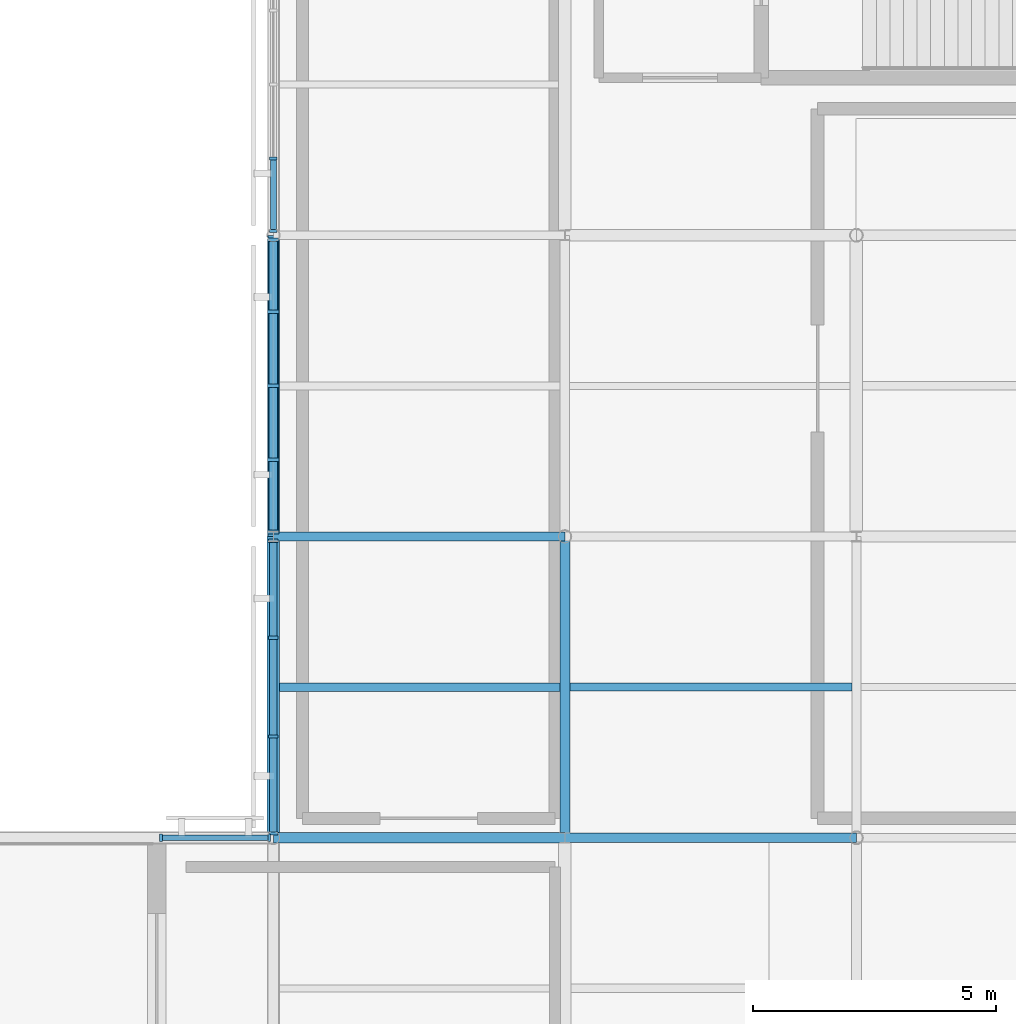
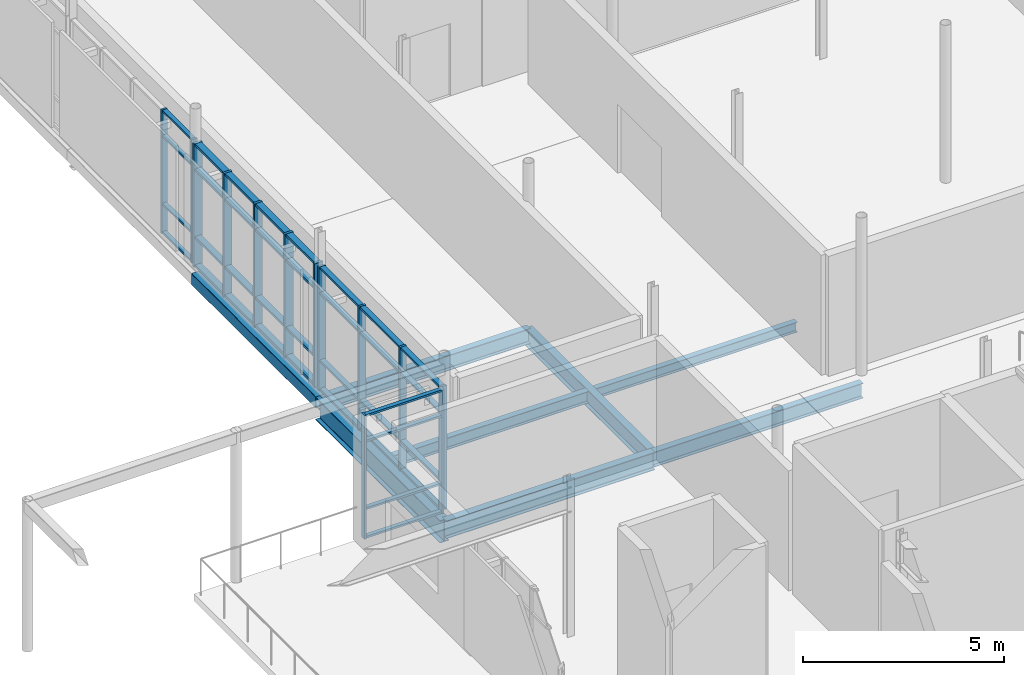
# One storey, part 29 of 48: 49 members, 8 beams, 4 elements without a shape of their own.
"""IFC4 building model written with IfcOpenShell, lengths in metres."""

from ifc_helpers import new_model, si_unit, direction, frame, origin, origin_2d, place, context, subcontext, project, spatial, rectangle, hollow_rectangle, i_section, extrude, material, layer, layer_set, material_profile, profile_set, type_object, element, aggregate, save


model = new_model("IFC4")

# Units and contexts
model_context = context("Model", 3, precision=1e-05, world=origin(), true_north=direction((0.0, 1.0)))
body_context = subcontext(model_context, "Body", "Model", "MODEL_VIEW")
ifc_project = project(units=[si_unit("LENGTHUNIT", "METRE"), si_unit("AREAUNIT", "SQUARE_METRE"), si_unit("VOLUMEUNIT", "CUBIC_METRE"), si_unit("PLANEANGLEUNIT", "RADIAN"), si_unit("MASSUNIT", "GRAM", prefix="KILO")], contexts=[model_context])

# Site, building, storey
site_placement = place(None, origin())
site = spatial("IfcSite", under=ifc_project, at=site_placement, CompositionType="ELEMENT")
building_placement = place(site_placement, origin())
building = spatial("IfcBuilding", under=site, at=building_placement, Name="Mirzam Square Science Centre", CompositionType="ELEMENT")
storey_placement = place(building_placement, frame((0.0, 0.0, 20.39990234375)))
storey = spatial("IfcBuildingStorey", under=building, at=storey_placement, Name="L04", CompositionType="ELEMENT", Elevation=20.39990234375)

# Beams
ifc_material_1 = material(Name="Steel S355", Category="steel")
ifc_material_profile_1 = material_profile(ifc_material_1, i_section(OverallWidth=0.19140625, OverallDepth=0.4599609375, WebThickness=0.010009765625, FlangeThickness=0.01611328125, FilletRadius=0.01025390625, at=origin_2d()), Name="457x191x82UB")
ifc_profile_set_1 = profile_set([ifc_material_profile_1], Name="Steel S355")
beam_type_1 = type_object("IfcBeamType", Name="BM-UB457", PredefinedType="BEAM", material=ifc_profile_set_1)
for number, where, z_axis, x_axis, name in (
    (1, (120.0, 86.800048828125, -0.47998046875), (1.0, 0.0, 0.0), (0.0, 1.0, 0.0), "L04 girder X21-15"),
    (2, (114.0, 93.0, -0.47998046875), (1.0, 0.0, 0.0), (0.0, 1.0, 0.0), "L04 girder X20-16"),
):
    element("IfcBeam", number, at=place(storey_placement, frame(where, z_axis=z_axis, x_axis=x_axis)), inside=storey, type_object=beam_type_1, Name=name, PredefinedType="BEAM", context=body_context, shape_type="SweptSolid", body=[
        extrude(i_section(OverallWidth=0.19140625, OverallDepth=0.4599609375, WebThickness=0.010009765625, FlangeThickness=0.01611328125, FilletRadius=0.01025390625, at=origin_2d()), origin(), (0.0, 0.0, 1.0), 6.0),
    ])
ifc_material_profile_2 = material_profile(ifc_material_1, i_section(OverallWidth=0.2099609375, OverallDepth=0.53662109375, WebThickness=0.0107421875, FlangeThickness=0.017333984375, FilletRadius=0.0126953125, at=origin_2d()), Name="533x210x101UB")
ifc_profile_set_2 = profile_set([ifc_material_profile_2], Name="Steel S355")
beam_type_2 = type_object("IfcBeamType", Name="BM-UB533", PredefinedType="BEAM", material=ifc_profile_set_2)
beam_1_placement = place(storey_placement, frame((114.0, 86.800048828125, -0.518310546875), z_axis=(1.0, 0.0, 0.0), x_axis=(0.0, 1.0, 0.0)))
element("IfcBeam", 3, at=beam_1_placement, inside=storey, type_object=beam_type_2, Name="L04 girder X20-15", PredefinedType="BEAM", context=body_context, shape_type="SweptSolid", body=[
    extrude(i_section(OverallWidth=0.2099609375, OverallDepth=0.53662109375, WebThickness=0.0107421875, FlangeThickness=0.017333984375, FilletRadius=0.0126953125, at=origin_2d()), origin(), (0.0, 0.0, 1.0), 6.0),
])
beam_2_placement = place(storey_placement, frame((120.0, 86.800048828125, -0.518310546875), z_axis=(0.0, 1.0, 0.0), x_axis=(-1.0, 0.0, 0.0)))
element("IfcBeam", 4, at=beam_2_placement, inside=storey, type_object=beam_type_2, Name="L04 girder Y21-15", PredefinedType="BEAM", context=body_context, shape_type="SweptSolid", body=[
    extrude(i_section(OverallWidth=0.2099609375, OverallDepth=0.53662109375, WebThickness=0.0107421875, FlangeThickness=0.017333984375, FilletRadius=0.0126953125, at=origin_2d()), origin(), (0.0, 0.0, 1.0), 6.199951171875),
])
ifc_material_profile_3 = material_profile(ifc_material_1, i_section(OverallWidth=0.25439453125, OverallDepth=0.6875, WebThickness=0.01318359375, FlangeThickness=0.02099609375, FilletRadius=0.01513671875, at=origin_2d()), Name="686x254x152UB")
ifc_profile_set_3 = profile_set([ifc_material_profile_3], Name="Steel S355")
beam_type_3 = type_object("IfcBeamType", Name="BM-UB686", PredefinedType="BEAM", material=ifc_profile_set_3)
beam_3_placement = place(storey_placement, frame((114.0, 86.800048828125, -0.59375), z_axis=(0.0, 1.0, 0.0), x_axis=(-1.0, 0.0, 0.0)))
element("IfcBeam", 5, at=beam_3_placement, inside=storey, type_object=beam_type_3, Name="L04 girder Y20-15", PredefinedType="BEAM", context=body_context, shape_type="SweptSolid", body=[
    extrude(i_section(OverallWidth=0.25439453125, OverallDepth=0.6875, WebThickness=0.01318359375, FlangeThickness=0.02099609375, FilletRadius=0.01513671875, at=origin_2d()), origin(), (0.0, 0.0, 1.0), 6.199951171875),
])

# Curtain wall, members
ifc_material_2 = material(Name="Anodised Aluminium and Low-E Solar Glass", Category="aluminium")
ifc_layer_1 = layer(ifc_material_2, 0.159912109375)
ifc_layer_set_1 = layer_set([ifc_layer_1], Name="CW-COURT-B")
curtain_wall_type_1 = type_object("IfcCurtainWallType", Name="CW-COURT-B", PredefinedType="USERDEFINED", material=ifc_layer_set_1)
curtain_wall_1_placement = place(storey_placement, origin())
curtain_wall_1 = element("IfcCurtainWall", 6, at=curtain_wall_1_placement, inside=storey, type_object=curtain_wall_type_1, Name="L04 unitised curtain wall 153", ObjectType="UNITISED CURTAIN WALL", PredefinedType="USERDEFINED")
ifc_material_3 = material(Name="Anodised Architectural Aluminium 6063-T6", Category="aluminium")
ifc_material_profile_4 = material_profile(ifc_material_3, rectangle(XDim=0.06005859375, YDim=0.159912109375, at=origin_2d()), Name="ALU-MULL-160x60x4")
ifc_profile_set_4 = profile_set([ifc_material_profile_4], Name="Anodised Architectural Aluminium 6063-T6")
member_type_1 = type_object("IfcMemberType", Name="CWM-160", PredefinedType="MULLION", material=ifc_profile_set_4)
member_1_placement = place(storey_placement, frame((113.9150390625, 86.800048828125, 0.0), z_axis=(0.0, 0.0, 1.0), x_axis=(-1.0, 0.0, 0.0)))
member_1 = element("IfcMember", 7, at=member_1_placement, type_object=member_type_1, Name="CW-04 mullion 1", PredefinedType="MULLION", context=body_context, shape_type="SweptSolid", body=[
    extrude(rectangle(XDim=0.06005859375, YDim=0.159912109375, at=origin_2d()), origin(), (0.0, 0.0, 1.0), 3.760009765625),
])
member_2_placement = place(storey_placement, frame((111.68505859375, 86.800048828125, 0.0), z_axis=(0.0, 0.0, 1.0), x_axis=(-1.0, 0.0, 0.0)))
member_2 = element("IfcMember", 8, at=member_2_placement, type_object=member_type_1, Name="CW-04 mullion 2", PredefinedType="MULLION", context=body_context, shape_type="SweptSolid", body=[
    extrude(rectangle(XDim=0.06005859375, YDim=0.159912109375, at=origin_2d()), origin(), (0.0, 0.0, 1.0), 3.760009765625),
])

curtain_wall_2_placement = place(storey_placement, origin())
curtain_wall_2 = element("IfcCurtainWall", 9, at=curtain_wall_2_placement, inside=storey, type_object=curtain_wall_type_1, Name="L04 unitised curtain wall 162", ObjectType="UNITISED CURTAIN WALL", PredefinedType="USERDEFINED")
member_3_placement = place(storey_placement, frame((114.0, 100.777587890625, 0.0), z_axis=(0.0, 0.0, 1.0), x_axis=(0.0, -1.0, 0.0)))
member_3 = element("IfcMember", 10, at=member_3_placement, type_object=member_type_1, Name="CW-04 mullion 4", PredefinedType="MULLION", context=body_context, shape_type="SweptSolid", body=[
    extrude(rectangle(XDim=0.06005859375, YDim=0.159912109375, at=origin_2d()), origin(), (0.0, 0.0, 1.0), 3.760009765625),
])
member_4_placement = place(storey_placement, frame((114.0, 99.284912109375, 0.0), z_axis=(0.0, 0.0, 1.0), x_axis=(0.0, -1.0, 0.0)))
member_4 = element("IfcMember", 11, at=member_4_placement, type_object=member_type_1, Name="CW-04 mullion 5", PredefinedType="MULLION", context=body_context, shape_type="SweptSolid", body=[
    extrude(rectangle(XDim=0.06005859375, YDim=0.159912109375, at=origin_2d()), origin(), (0.0, 0.0, 1.0), 3.760009765625),
])

ifc_layer_2 = layer(ifc_material_2, 0.199951171875)
ifc_layer_set_2 = layer_set([ifc_layer_2], Name="CW-PARK-B")
curtain_wall_type_2 = type_object("IfcCurtainWallType", Name="CW-PARK-B", PredefinedType="USERDEFINED", material=ifc_layer_set_2)
curtain_wall_3_placement = place(storey_placement, origin())
curtain_wall_3 = element("IfcCurtainWall", 12, at=curtain_wall_3_placement, inside=storey, type_object=curtain_wall_type_2, Name="L04 unitised curtain wall 158", ObjectType="UNITISED CURTAIN WALL", PredefinedType="USERDEFINED")
ifc_material_profile_5 = material_profile(ifc_material_3, rectangle(XDim=0.06494140625, YDim=0.199951171875, at=origin_2d()), Name="ALU-MULL-200x65x5")
ifc_profile_set_5 = profile_set([ifc_material_profile_5], Name="Anodised Architectural Aluminium 6063-T6")
member_type_2 = type_object("IfcMemberType", Name="CWM-200", PredefinedType="MULLION", material=ifc_profile_set_5)
member_5_placement = place(storey_placement, frame((114.0, 92.91259765625, 0.0), z_axis=(0.0, 0.0, 1.0), x_axis=(0.0, -1.0, 0.0)))
member_5 = element("IfcMember", 13, at=member_5_placement, type_object=member_type_2, Name="CW-02 mullion 1", PredefinedType="MULLION", context=body_context, shape_type="SweptSolid", body=[
    extrude(rectangle(XDim=0.06494140625, YDim=0.199951171875, at=origin_2d()), origin(), (0.0, 0.0, 1.0), 3.760009765625),
])
member_6_placement = place(storey_placement, frame((114.0, 90.9150390625, 0.0), z_axis=(0.0, 0.0, 1.0), x_axis=(0.0, -1.0, 0.0)))
member_6 = element("IfcMember", 14, at=member_6_placement, type_object=member_type_2, Name="CW-02 mullion 2", PredefinedType="MULLION", context=body_context, shape_type="SweptSolid", body=[
    extrude(rectangle(XDim=0.06494140625, YDim=0.199951171875, at=origin_2d()), origin(), (0.0, 0.0, 1.0), 3.760009765625),
])
member_7_placement = place(storey_placement, frame((114.0, 88.885009765625, 0.0), z_axis=(0.0, 0.0, 1.0), x_axis=(0.0, -1.0, 0.0)))
member_7 = element("IfcMember", 15, at=member_7_placement, type_object=member_type_2, Name="CW-02 mullion 3", PredefinedType="MULLION", context=body_context, shape_type="SweptSolid", body=[
    extrude(rectangle(XDim=0.06494140625, YDim=0.199951171875, at=origin_2d()), origin(), (0.0, 0.0, 1.0), 3.760009765625),
])
member_8_placement = place(storey_placement, frame((114.0, 86.887451171875, 0.0), z_axis=(0.0, 0.0, 1.0), x_axis=(0.0, -1.0, 0.0)))
member_8 = element("IfcMember", 16, at=member_8_placement, type_object=member_type_2, Name="CW-02 mullion 4", PredefinedType="MULLION", context=body_context, shape_type="SweptSolid", body=[
    extrude(rectangle(XDim=0.06494140625, YDim=0.199951171875, at=origin_2d()), origin(), (0.0, 0.0, 1.0), 3.760009765625),
])

ifc_layer_3 = layer(ifc_material_2, 0.159912109375)
ifc_layer_set_3 = layer_set([ifc_layer_3], Name="CW-COURT-A")
curtain_wall_type_3 = type_object("IfcCurtainWallType", Name="CW-COURT-A", PredefinedType="USERDEFINED", material=ifc_layer_set_3)
curtain_wall_4_placement = place(storey_placement, origin())
curtain_wall_4 = element("IfcCurtainWall", 17, at=curtain_wall_4_placement, inside=storey, type_object=curtain_wall_type_3, Name="L04 unitised curtain wall 160", ObjectType="UNITISED CURTAIN WALL", PredefinedType="USERDEFINED")
ifc_material_profile_6 = material_profile(ifc_material_3, rectangle(XDim=0.074951171875, YDim=0.239990234375, at=origin_2d()), Name="ALU-MULL-240x75x5")
ifc_profile_set_6 = profile_set([ifc_material_profile_6], Name="Anodised Architectural Aluminium 6063-T6")
member_type_3 = type_object("IfcMemberType", Name="CWM-240", PredefinedType="MULLION", material=ifc_profile_set_6)
member_9_placement = place(storey_placement, frame((114.0, 99.107421875, 0.0), z_axis=(0.0, 0.0, 1.0), x_axis=(0.0, -1.0, 0.0)))
member_9 = element("IfcMember", 18, at=member_9_placement, type_object=member_type_3, Name="CW-03 mullion 1", PredefinedType="MULLION", context=body_context, shape_type="SweptSolid", body=[
    extrude(rectangle(XDim=0.074951171875, YDim=0.239990234375, at=origin_2d()), origin(), (0.0, 0.0, 1.0), 3.760009765625),
])
member_10_placement = place(storey_placement, frame((114.0, 97.62255859375, 0.0), z_axis=(0.0, 0.0, 1.0), x_axis=(0.0, -1.0, 0.0)))
member_10 = element("IfcMember", 19, at=member_10_placement, type_object=member_type_3, Name="CW-03 mullion 2", PredefinedType="MULLION", context=body_context, shape_type="SweptSolid", body=[
    extrude(rectangle(XDim=0.074951171875, YDim=0.239990234375, at=origin_2d()), origin(), (0.0, 0.0, 1.0), 3.760009765625),
])
member_11_placement = place(storey_placement, frame((114.0, 96.10009765625, 0.0), z_axis=(0.0, 0.0, 1.0), x_axis=(0.0, -1.0, 0.0)))
member_11 = element("IfcMember", 20, at=member_11_placement, type_object=member_type_3, Name="CW-03 mullion 3", PredefinedType="MULLION", context=body_context, shape_type="SweptSolid", body=[
    extrude(rectangle(XDim=0.074951171875, YDim=0.239990234375, at=origin_2d()), origin(), (0.0, 0.0, 1.0), 3.760009765625),
])
member_12_placement = place(storey_placement, frame((114.0, 94.577392578125, 0.0), z_axis=(0.0, 0.0, 1.0), x_axis=(0.0, -1.0, 0.0)))
member_12 = element("IfcMember", 21, at=member_12_placement, type_object=member_type_3, Name="CW-03 mullion 4", PredefinedType="MULLION", context=body_context, shape_type="SweptSolid", body=[
    extrude(rectangle(XDim=0.074951171875, YDim=0.239990234375, at=origin_2d()), origin(), (0.0, 0.0, 1.0), 3.760009765625),
])
member_13_placement = place(storey_placement, frame((114.0, 93.092529296875, 0.0), z_axis=(0.0, 0.0, 1.0), x_axis=(0.0, -1.0, 0.0)))
member_13 = element("IfcMember", 22, at=member_13_placement, type_object=member_type_3, Name="CW-03 mullion 5", PredefinedType="MULLION", context=body_context, shape_type="SweptSolid", body=[
    extrude(rectangle(XDim=0.074951171875, YDim=0.239990234375, at=origin_2d()), origin(), (0.0, 0.0, 1.0), 3.760009765625),
])

# Member
ifc_material_profile_7 = material_profile(ifc_material_3, rectangle(XDim=0.1201171875, YDim=0.06005859375, at=origin_2d()), Name="ALU-TRAN-120x60x4")
ifc_profile_set_7 = profile_set([ifc_material_profile_7], Name="Anodised Architectural Aluminium 6063-T6")
member_type_4 = type_object("IfcMemberType", Name="CWT-120", PredefinedType="USERDEFINED", material=ifc_profile_set_7)
member_14_placement = place(storey_placement, frame((113.885009765625, 86.800048828125, 0.030029296875), z_axis=(-1.0, 0.0, 0.0), x_axis=(0.0, -1.0, 0.0)))
member_14 = element("IfcMember", 23, at=member_14_placement, type_object=member_type_4, Name="CW-04 transom 1.1", ObjectType="TRANSOM", PredefinedType="USERDEFINED", context=body_context, shape_type="SweptSolid", body=[
    extrude(rectangle(XDim=0.1201171875, YDim=0.06005859375, at=origin_2d()), origin(), (0.0, 0.0, 1.0), 2.169921875),
])

member_15_placement = place(storey_placement, frame((113.885009765625, 86.800048828125, 0.900146484375), z_axis=(-1.0, 0.0, 0.0), x_axis=(0.0, -1.0, 0.0)))
member_15 = element("IfcMember", 24, at=member_15_placement, type_object=member_type_4, Name="CW-04 transom 1.2", ObjectType="TRANSOM", PredefinedType="USERDEFINED", context=body_context, shape_type="SweptSolid", body=[
    extrude(rectangle(XDim=0.1201171875, YDim=0.06005859375, at=origin_2d()), origin(), (0.0, 0.0, 1.0), 2.169921875),
])

member_16_placement = place(storey_placement, frame((113.885009765625, 86.800048828125, 2.960205078125), z_axis=(-1.0, 0.0, 0.0), x_axis=(0.0, -1.0, 0.0)))
member_16 = element("IfcMember", 25, at=member_16_placement, type_object=member_type_4, Name="CW-04 transom 1.3", ObjectType="TRANSOM", PredefinedType="USERDEFINED", context=body_context, shape_type="SweptSolid", body=[
    extrude(rectangle(XDim=0.1201171875, YDim=0.06005859375, at=origin_2d()), origin(), (0.0, 0.0, 1.0), 2.169921875),
])

member_17_placement = place(storey_placement, frame((113.885009765625, 86.800048828125, 3.72998046875), z_axis=(-1.0, 0.0, 0.0), x_axis=(0.0, -1.0, 0.0)))
member_17 = element("IfcMember", 26, at=member_17_placement, type_object=member_type_4, Name="CW-04 transom 1.4", ObjectType="TRANSOM", PredefinedType="USERDEFINED", context=body_context, shape_type="SweptSolid", body=[
    extrude(rectangle(XDim=0.1201171875, YDim=0.06005859375, at=origin_2d()), origin(), (0.0, 0.0, 1.0), 2.169921875),
])

aggregate(curtain_wall_1, [member_1, member_2, member_14, member_15, member_16, member_17])

member_18_placement = place(storey_placement, frame((114.0, 100.74755859375, 0.030029296875), z_axis=(0.0, -1.0, 0.0), x_axis=(1.0, 0.0, 0.0)))
member_18 = element("IfcMember", 27, at=member_18_placement, type_object=member_type_4, Name="CW-04 transom 4.1", ObjectType="TRANSOM", PredefinedType="USERDEFINED", context=body_context, shape_type="SweptSolid", body=[
    extrude(rectangle(XDim=0.1201171875, YDim=0.06005859375, at=origin_2d()), origin(), (0.0, 0.0, 1.0), 1.4326171875),
])

member_19_placement = place(storey_placement, frame((114.0, 100.74755859375, 0.900146484375), z_axis=(0.0, -1.0, 0.0), x_axis=(1.0, 0.0, 0.0)))
member_19 = element("IfcMember", 28, at=member_19_placement, type_object=member_type_4, Name="CW-04 transom 4.2", ObjectType="TRANSOM", PredefinedType="USERDEFINED", context=body_context, shape_type="SweptSolid", body=[
    extrude(rectangle(XDim=0.1201171875, YDim=0.06005859375, at=origin_2d()), origin(), (0.0, 0.0, 1.0), 1.4326171875),
])

member_20_placement = place(storey_placement, frame((114.0, 100.74755859375, 2.960205078125), z_axis=(0.0, -1.0, 0.0), x_axis=(1.0, 0.0, 0.0)))
member_20 = element("IfcMember", 29, at=member_20_placement, type_object=member_type_4, Name="CW-04 transom 4.3", ObjectType="TRANSOM", PredefinedType="USERDEFINED", context=body_context, shape_type="SweptSolid", body=[
    extrude(rectangle(XDim=0.1201171875, YDim=0.06005859375, at=origin_2d()), origin(), (0.0, 0.0, 1.0), 1.4326171875),
])

member_21_placement = place(storey_placement, frame((114.0, 100.74755859375, 3.72998046875), z_axis=(0.0, -1.0, 0.0), x_axis=(1.0, 0.0, 0.0)))
member_21 = element("IfcMember", 30, at=member_21_placement, type_object=member_type_4, Name="CW-04 transom 4.4", ObjectType="TRANSOM", PredefinedType="USERDEFINED", context=body_context, shape_type="SweptSolid", body=[
    extrude(rectangle(XDim=0.1201171875, YDim=0.06005859375, at=origin_2d()), origin(), (0.0, 0.0, 1.0), 1.4326171875),
])

aggregate(curtain_wall_2, [member_3, member_4, member_18, member_19, member_20, member_21])

ifc_material_profile_8 = material_profile(ifc_material_3, rectangle(XDim=0.14990234375, YDim=0.06494140625, at=origin_2d()), Name="ALU-TRAN-150x65x4")
ifc_profile_set_8 = profile_set([ifc_material_profile_8], Name="Anodised Architectural Aluminium 6063-T6")
member_type_5 = type_object("IfcMemberType", Name="CWT-150", PredefinedType="USERDEFINED", material=ifc_profile_set_8)
member_22_placement = place(storey_placement, frame((114.0, 92.8798828125, 0.03271484375), z_axis=(0.0, -1.0, 0.0), x_axis=(1.0, 0.0, 0.0)))
member_22 = element("IfcMember", 31, at=member_22_placement, type_object=member_type_5, Name="CW-02 transom 1.1", ObjectType="TRANSOM", PredefinedType="USERDEFINED", context=body_context, shape_type="SweptSolid", body=[
    extrude(rectangle(XDim=0.14990234375, YDim=0.06494140625, at=origin_2d()), origin(), (0.0, 0.0, 1.0), 1.932373046875),
])

member_23_placement = place(storey_placement, frame((114.0, 92.8798828125, 0.900146484375), z_axis=(0.0, -1.0, 0.0), x_axis=(1.0, 0.0, 0.0)))
member_23 = element("IfcMember", 32, at=member_23_placement, type_object=member_type_5, Name="CW-02 transom 1.2", ObjectType="TRANSOM", PredefinedType="USERDEFINED", context=body_context, shape_type="SweptSolid", body=[
    extrude(rectangle(XDim=0.14990234375, YDim=0.06494140625, at=origin_2d()), origin(), (0.0, 0.0, 1.0), 1.932373046875),
])

member_24_placement = place(storey_placement, frame((114.0, 92.8798828125, 2.960205078125), z_axis=(0.0, -1.0, 0.0), x_axis=(1.0, 0.0, 0.0)))
member_24 = element("IfcMember", 33, at=member_24_placement, type_object=member_type_5, Name="CW-02 transom 1.3", ObjectType="TRANSOM", PredefinedType="USERDEFINED", context=body_context, shape_type="SweptSolid", body=[
    extrude(rectangle(XDim=0.14990234375, YDim=0.06494140625, at=origin_2d()), origin(), (0.0, 0.0, 1.0), 1.932373046875),
])

member_25_placement = place(storey_placement, frame((114.0, 92.8798828125, 3.7275390625), z_axis=(0.0, -1.0, 0.0), x_axis=(1.0, 0.0, 0.0)))
member_25 = element("IfcMember", 34, at=member_25_placement, type_object=member_type_5, Name="CW-02 transom 1.4", ObjectType="TRANSOM", PredefinedType="USERDEFINED", context=body_context, shape_type="SweptSolid", body=[
    extrude(rectangle(XDim=0.14990234375, YDim=0.06494140625, at=origin_2d()), origin(), (0.0, 0.0, 1.0), 1.932373046875),
])

member_26_placement = place(storey_placement, frame((114.0, 90.882568359375, 0.03271484375), z_axis=(0.0, -1.0, 0.0), x_axis=(1.0, 0.0, 0.0)))
member_26 = element("IfcMember", 35, at=member_26_placement, type_object=member_type_5, Name="CW-02 transom 2.1", ObjectType="TRANSOM", PredefinedType="USERDEFINED", context=body_context, shape_type="SweptSolid", body=[
    extrude(rectangle(XDim=0.14990234375, YDim=0.06494140625, at=origin_2d()), origin(), (0.0, 0.0, 1.0), 1.965087890625),
])

member_27_placement = place(storey_placement, frame((114.0, 90.882568359375, 0.900146484375), z_axis=(0.0, -1.0, 0.0), x_axis=(1.0, 0.0, 0.0)))
member_27 = element("IfcMember", 36, at=member_27_placement, type_object=member_type_5, Name="CW-02 transom 2.2", ObjectType="TRANSOM", PredefinedType="USERDEFINED", context=body_context, shape_type="SweptSolid", body=[
    extrude(rectangle(XDim=0.14990234375, YDim=0.06494140625, at=origin_2d()), origin(), (0.0, 0.0, 1.0), 1.965087890625),
])

member_28_placement = place(storey_placement, frame((114.0, 90.882568359375, 2.960205078125), z_axis=(0.0, -1.0, 0.0), x_axis=(1.0, 0.0, 0.0)))
member_28 = element("IfcMember", 37, at=member_28_placement, type_object=member_type_5, Name="CW-02 transom 2.3", ObjectType="TRANSOM", PredefinedType="USERDEFINED", context=body_context, shape_type="SweptSolid", body=[
    extrude(rectangle(XDim=0.14990234375, YDim=0.06494140625, at=origin_2d()), origin(), (0.0, 0.0, 1.0), 1.965087890625),
])

member_29_placement = place(storey_placement, frame((114.0, 90.882568359375, 3.7275390625), z_axis=(0.0, -1.0, 0.0), x_axis=(1.0, 0.0, 0.0)))
member_29 = element("IfcMember", 38, at=member_29_placement, type_object=member_type_5, Name="CW-02 transom 2.4", ObjectType="TRANSOM", PredefinedType="USERDEFINED", context=body_context, shape_type="SweptSolid", body=[
    extrude(rectangle(XDim=0.14990234375, YDim=0.06494140625, at=origin_2d()), origin(), (0.0, 0.0, 1.0), 1.965087890625),
])

member_30_placement = place(storey_placement, frame((114.0, 88.8525390625, 0.03271484375), z_axis=(0.0, -1.0, 0.0), x_axis=(1.0, 0.0, 0.0)))
member_30 = element("IfcMember", 39, at=member_30_placement, type_object=member_type_5, Name="CW-02 transom 3.1", ObjectType="TRANSOM", PredefinedType="USERDEFINED", context=body_context, shape_type="SweptSolid", body=[
    extrude(rectangle(XDim=0.14990234375, YDim=0.06494140625, at=origin_2d()), origin(), (0.0, 0.0, 1.0), 1.9326171875),
])

member_31_placement = place(storey_placement, frame((114.0, 88.8525390625, 0.900146484375), z_axis=(0.0, -1.0, 0.0), x_axis=(1.0, 0.0, 0.0)))
member_31 = element("IfcMember", 40, at=member_31_placement, type_object=member_type_5, Name="CW-02 transom 3.2", ObjectType="TRANSOM", PredefinedType="USERDEFINED", context=body_context, shape_type="SweptSolid", body=[
    extrude(rectangle(XDim=0.14990234375, YDim=0.06494140625, at=origin_2d()), origin(), (0.0, 0.0, 1.0), 1.9326171875),
])

member_32_placement = place(storey_placement, frame((114.0, 88.8525390625, 2.960205078125), z_axis=(0.0, -1.0, 0.0), x_axis=(1.0, 0.0, 0.0)))
member_32 = element("IfcMember", 41, at=member_32_placement, type_object=member_type_5, Name="CW-02 transom 3.3", ObjectType="TRANSOM", PredefinedType="USERDEFINED", context=body_context, shape_type="SweptSolid", body=[
    extrude(rectangle(XDim=0.14990234375, YDim=0.06494140625, at=origin_2d()), origin(), (0.0, 0.0, 1.0), 1.9326171875),
])

member_33_placement = place(storey_placement, frame((114.0, 88.8525390625, 3.7275390625), z_axis=(0.0, -1.0, 0.0), x_axis=(1.0, 0.0, 0.0)))
member_33 = element("IfcMember", 42, at=member_33_placement, type_object=member_type_5, Name="CW-02 transom 3.4", ObjectType="TRANSOM", PredefinedType="USERDEFINED", context=body_context, shape_type="SweptSolid", body=[
    extrude(rectangle(XDim=0.14990234375, YDim=0.06494140625, at=origin_2d()), origin(), (0.0, 0.0, 1.0), 1.9326171875),
])

aggregate(curtain_wall_3, [member_5, member_6, member_7, member_8, member_22, member_23, member_24, member_25, member_26, member_27, member_28, member_29, member_30, member_31, member_32, member_33])

ifc_material_profile_9 = material_profile(ifc_material_3, rectangle(XDim=0.179931640625, YDim=0.074951171875, at=origin_2d()), Name="ALU-TRAN-180x75x5")
ifc_profile_set_9 = profile_set([ifc_material_profile_9], Name="Anodised Architectural Aluminium 6063-T6")
member_type_6 = type_object("IfcMemberType", Name="CWT-180", PredefinedType="USERDEFINED", material=ifc_profile_set_9)
member_34_placement = place(storey_placement, frame((114.0, 99.070068359375, 0.03759765625), z_axis=(0.0, -1.0, 0.0), x_axis=(1.0, 0.0, 0.0)))
member_34 = element("IfcMember", 43, at=member_34_placement, type_object=member_type_6, Name="CW-03 transom 1.1", ObjectType="TRANSOM", PredefinedType="USERDEFINED", context=body_context, shape_type="SweptSolid", body=[
    extrude(rectangle(XDim=0.179931640625, YDim=0.074951171875, at=origin_2d()), origin(), (0.0, 0.0, 1.0), 1.41015625),
])

member_35_placement = place(storey_placement, frame((114.0, 99.070068359375, 0.900146484375), z_axis=(0.0, -1.0, 0.0), x_axis=(1.0, 0.0, 0.0)))
member_35 = element("IfcMember", 44, at=member_35_placement, type_object=member_type_6, Name="CW-03 transom 1.2", ObjectType="TRANSOM", PredefinedType="USERDEFINED", context=body_context, shape_type="SweptSolid", body=[
    extrude(rectangle(XDim=0.179931640625, YDim=0.074951171875, at=origin_2d()), origin(), (0.0, 0.0, 1.0), 1.41015625),
])

member_36_placement = place(storey_placement, frame((114.0, 99.070068359375, 2.960205078125), z_axis=(0.0, -1.0, 0.0), x_axis=(1.0, 0.0, 0.0)))
member_36 = element("IfcMember", 45, at=member_36_placement, type_object=member_type_6, Name="CW-03 transom 1.3", ObjectType="TRANSOM", PredefinedType="USERDEFINED", context=body_context, shape_type="SweptSolid", body=[
    extrude(rectangle(XDim=0.179931640625, YDim=0.074951171875, at=origin_2d()), origin(), (0.0, 0.0, 1.0), 1.41015625),
])

member_37_placement = place(storey_placement, frame((114.0, 99.070068359375, 3.72265625), z_axis=(0.0, -1.0, 0.0), x_axis=(1.0, 0.0, 0.0)))
member_37 = element("IfcMember", 46, at=member_37_placement, type_object=member_type_6, Name="CW-03 transom 1.4", ObjectType="TRANSOM", PredefinedType="USERDEFINED", context=body_context, shape_type="SweptSolid", body=[
    extrude(rectangle(XDim=0.179931640625, YDim=0.074951171875, at=origin_2d()), origin(), (0.0, 0.0, 1.0), 1.41015625),
])

member_38_placement = place(storey_placement, frame((114.0, 97.5849609375, 0.03759765625), z_axis=(0.0, -1.0, 0.0), x_axis=(1.0, 0.0, 0.0)))
member_38 = element("IfcMember", 47, at=member_38_placement, type_object=member_type_6, Name="CW-03 transom 2.1", ObjectType="TRANSOM", PredefinedType="USERDEFINED", context=body_context, shape_type="SweptSolid", body=[
    extrude(rectangle(XDim=0.179931640625, YDim=0.074951171875, at=origin_2d()), origin(), (0.0, 0.0, 1.0), 1.447509765625),
])

member_39_placement = place(storey_placement, frame((114.0, 97.5849609375, 0.900146484375), z_axis=(0.0, -1.0, 0.0), x_axis=(1.0, 0.0, 0.0)))
member_39 = element("IfcMember", 48, at=member_39_placement, type_object=member_type_6, Name="CW-03 transom 2.2", ObjectType="TRANSOM", PredefinedType="USERDEFINED", context=body_context, shape_type="SweptSolid", body=[
    extrude(rectangle(XDim=0.179931640625, YDim=0.074951171875, at=origin_2d()), origin(), (0.0, 0.0, 1.0), 1.447509765625),
])

member_40_placement = place(storey_placement, frame((114.0, 97.5849609375, 2.960205078125), z_axis=(0.0, -1.0, 0.0), x_axis=(1.0, 0.0, 0.0)))
member_40 = element("IfcMember", 49, at=member_40_placement, type_object=member_type_6, Name="CW-03 transom 2.3", ObjectType="TRANSOM", PredefinedType="USERDEFINED", context=body_context, shape_type="SweptSolid", body=[
    extrude(rectangle(XDim=0.179931640625, YDim=0.074951171875, at=origin_2d()), origin(), (0.0, 0.0, 1.0), 1.447509765625),
])

member_41_placement = place(storey_placement, frame((114.0, 97.5849609375, 3.72265625), z_axis=(0.0, -1.0, 0.0), x_axis=(1.0, 0.0, 0.0)))
member_41 = element("IfcMember", 50, at=member_41_placement, type_object=member_type_6, Name="CW-03 transom 2.4", ObjectType="TRANSOM", PredefinedType="USERDEFINED", context=body_context, shape_type="SweptSolid", body=[
    extrude(rectangle(XDim=0.179931640625, YDim=0.074951171875, at=origin_2d()), origin(), (0.0, 0.0, 1.0), 1.447509765625),
])

member_42_placement = place(storey_placement, frame((114.0, 96.0625, 0.03759765625), z_axis=(0.0, -1.0, 0.0), x_axis=(1.0, 0.0, 0.0)))
member_42 = element("IfcMember", 51, at=member_42_placement, type_object=member_type_6, Name="CW-03 transom 3.1", ObjectType="TRANSOM", PredefinedType="USERDEFINED", context=body_context, shape_type="SweptSolid", body=[
    extrude(rectangle(XDim=0.179931640625, YDim=0.074951171875, at=origin_2d()), origin(), (0.0, 0.0, 1.0), 1.447509765625),
])

member_43_placement = place(storey_placement, frame((114.0, 96.0625, 0.900146484375), z_axis=(0.0, -1.0, 0.0), x_axis=(1.0, 0.0, 0.0)))
member_43 = element("IfcMember", 52, at=member_43_placement, type_object=member_type_6, Name="CW-03 transom 3.2", ObjectType="TRANSOM", PredefinedType="USERDEFINED", context=body_context, shape_type="SweptSolid", body=[
    extrude(rectangle(XDim=0.179931640625, YDim=0.074951171875, at=origin_2d()), origin(), (0.0, 0.0, 1.0), 1.447509765625),
])

member_44_placement = place(storey_placement, frame((114.0, 96.0625, 2.960205078125), z_axis=(0.0, -1.0, 0.0), x_axis=(1.0, 0.0, 0.0)))
member_44 = element("IfcMember", 53, at=member_44_placement, type_object=member_type_6, Name="CW-03 transom 3.3", ObjectType="TRANSOM", PredefinedType="USERDEFINED", context=body_context, shape_type="SweptSolid", body=[
    extrude(rectangle(XDim=0.179931640625, YDim=0.074951171875, at=origin_2d()), origin(), (0.0, 0.0, 1.0), 1.447509765625),
])

member_45_placement = place(storey_placement, frame((114.0, 96.0625, 3.72265625), z_axis=(0.0, -1.0, 0.0), x_axis=(1.0, 0.0, 0.0)))
member_45 = element("IfcMember", 54, at=member_45_placement, type_object=member_type_6, Name="CW-03 transom 3.4", ObjectType="TRANSOM", PredefinedType="USERDEFINED", context=body_context, shape_type="SweptSolid", body=[
    extrude(rectangle(XDim=0.179931640625, YDim=0.074951171875, at=origin_2d()), origin(), (0.0, 0.0, 1.0), 1.447509765625),
])

member_46_placement = place(storey_placement, frame((114.0, 94.5400390625, 0.03759765625), z_axis=(0.0, -1.0, 0.0), x_axis=(1.0, 0.0, 0.0)))
member_46 = element("IfcMember", 55, at=member_46_placement, type_object=member_type_6, Name="CW-03 transom 4.1", ObjectType="TRANSOM", PredefinedType="USERDEFINED", context=body_context, shape_type="SweptSolid", body=[
    extrude(rectangle(XDim=0.179931640625, YDim=0.074951171875, at=origin_2d()), origin(), (0.0, 0.0, 1.0), 1.41015625),
])

member_47_placement = place(storey_placement, frame((114.0, 94.5400390625, 0.900146484375), z_axis=(0.0, -1.0, 0.0), x_axis=(1.0, 0.0, 0.0)))
member_47 = element("IfcMember", 56, at=member_47_placement, type_object=member_type_6, Name="CW-03 transom 4.2", ObjectType="TRANSOM", PredefinedType="USERDEFINED", context=body_context, shape_type="SweptSolid", body=[
    extrude(rectangle(XDim=0.179931640625, YDim=0.074951171875, at=origin_2d()), origin(), (0.0, 0.0, 1.0), 1.41015625),
])

member_48_placement = place(storey_placement, frame((114.0, 94.5400390625, 2.960205078125), z_axis=(0.0, -1.0, 0.0), x_axis=(1.0, 0.0, 0.0)))
member_48 = element("IfcMember", 57, at=member_48_placement, type_object=member_type_6, Name="CW-03 transom 4.3", ObjectType="TRANSOM", PredefinedType="USERDEFINED", context=body_context, shape_type="SweptSolid", body=[
    extrude(rectangle(XDim=0.179931640625, YDim=0.074951171875, at=origin_2d()), origin(), (0.0, 0.0, 1.0), 1.41015625),
])

member_49_placement = place(storey_placement, frame((114.0, 94.5400390625, 3.72265625), z_axis=(0.0, -1.0, 0.0), x_axis=(1.0, 0.0, 0.0)))
member_49 = element("IfcMember", 58, at=member_49_placement, type_object=member_type_6, Name="CW-03 transom 4.4", ObjectType="TRANSOM", PredefinedType="USERDEFINED", context=body_context, shape_type="SweptSolid", body=[
    extrude(rectangle(XDim=0.179931640625, YDim=0.074951171875, at=origin_2d()), origin(), (0.0, 0.0, 1.0), 1.41015625),
])

aggregate(curtain_wall_4, [member_9, member_10, member_11, member_12, member_13, member_34, member_35, member_36, member_37, member_38, member_39, member_40, member_41, member_42, member_43, member_44, member_45, member_46, member_47, member_48, member_49])

# Beams
ifc_material_profile_10 = material_profile(ifc_material_1, i_section(OverallWidth=0.165771484375, OverallDepth=0.306640625, WebThickness=0.006591796875, FlangeThickness=0.01171875, FilletRadius=0.0087890625, at=origin_2d()), Name="305x165x46UB")
ifc_profile_set_10 = profile_set([ifc_material_profile_10], Name="Steel S355")
beam_type_4 = type_object("IfcBeamType", Name="JS-UB305", PredefinedType="JOIST", material=ifc_profile_set_10)
beam_4_placement = place(storey_placement, frame((120.10498046875, 89.89990234375, -0.4033203125), z_axis=(1.0, 0.0, 0.0), x_axis=(0.0, 1.0, 0.0)))
element("IfcBeam", 59, at=beam_4_placement, inside=storey, type_object=beam_type_4, Name="L04 composite joist 21-15", PredefinedType="JOIST", context=body_context, shape_type="SweptSolid", body=[
    extrude(i_section(OverallWidth=0.165771484375, OverallDepth=0.306640625, WebThickness=0.006591796875, FlangeThickness=0.01171875, FilletRadius=0.0087890625, at=origin_2d()), origin(), (0.0, 0.0, 1.0), 5.79931640625),
])
ifc_material_profile_11 = material_profile(ifc_material_1, i_section(OverallWidth=0.172119140625, OverallDepth=0.35791015625, WebThickness=0.008056640625, FlangeThickness=0.012939453125, FilletRadius=0.01025390625, at=origin_2d()), Name="356x171x57UB")
ifc_profile_set_11 = profile_set([ifc_material_profile_11], Name="Steel S355")
beam_type_5 = type_object("IfcBeamType", Name="JS-UB356", PredefinedType="JOIST", material=ifc_profile_set_11)
beam_5_placement = place(storey_placement, frame((114.127197265625, 89.89990234375, -0.428955078125), z_axis=(1.0, 0.0, 0.0), x_axis=(0.0, 1.0, 0.0)))
element("IfcBeam", 60, at=beam_5_placement, inside=storey, type_object=beam_type_5, Name="L04 composite joist 20-15", PredefinedType="JOIST", context=body_context, shape_type="SweptSolid", body=[
    extrude(i_section(OverallWidth=0.172119140625, OverallDepth=0.35791015625, WebThickness=0.008056640625, FlangeThickness=0.012939453125, FilletRadius=0.01025390625, at=origin_2d()), origin(), (0.0, 0.0, 1.0), 5.767822265625),
])
ifc_material_profile_12 = material_profile(ifc_material_1, hollow_rectangle(XDim=0.25, YDim=0.35009765625, WallThickness=0.012451171875, InnerFilletRadius=0.012451171875, OuterFilletRadius=0.02490234375, at=origin_2d()), Name="350x250x12.5RHS")
ifc_profile_set_12 = profile_set([ifc_material_profile_12], Name="Steel S355")
beam_type_6 = type_object("IfcBeamType", Name="SP-RHS350", PredefinedType="SPANDREL", material=ifc_profile_set_12)
beam_6_placement = place(storey_placement, frame((114.0, 93.0, -0.4248046875), z_axis=(0.0, 1.0, 0.0), x_axis=(-1.0, 0.0, 0.0)))
element("IfcBeam", 61, at=beam_6_placement, inside=storey, type_object=beam_type_6, Name="L04 girder Y20-16", PredefinedType="SPANDREL", context=body_context, shape_type="SweptSolid", body=[
    extrude(hollow_rectangle(XDim=0.25, YDim=0.35009765625, WallThickness=0.012451171875, InnerFilletRadius=0.012451171875, OuterFilletRadius=0.02490234375, at=origin_2d()), origin(), (0.0, 0.0, 1.0), 6.199951171875),
])

save(model, "model.ifc")
